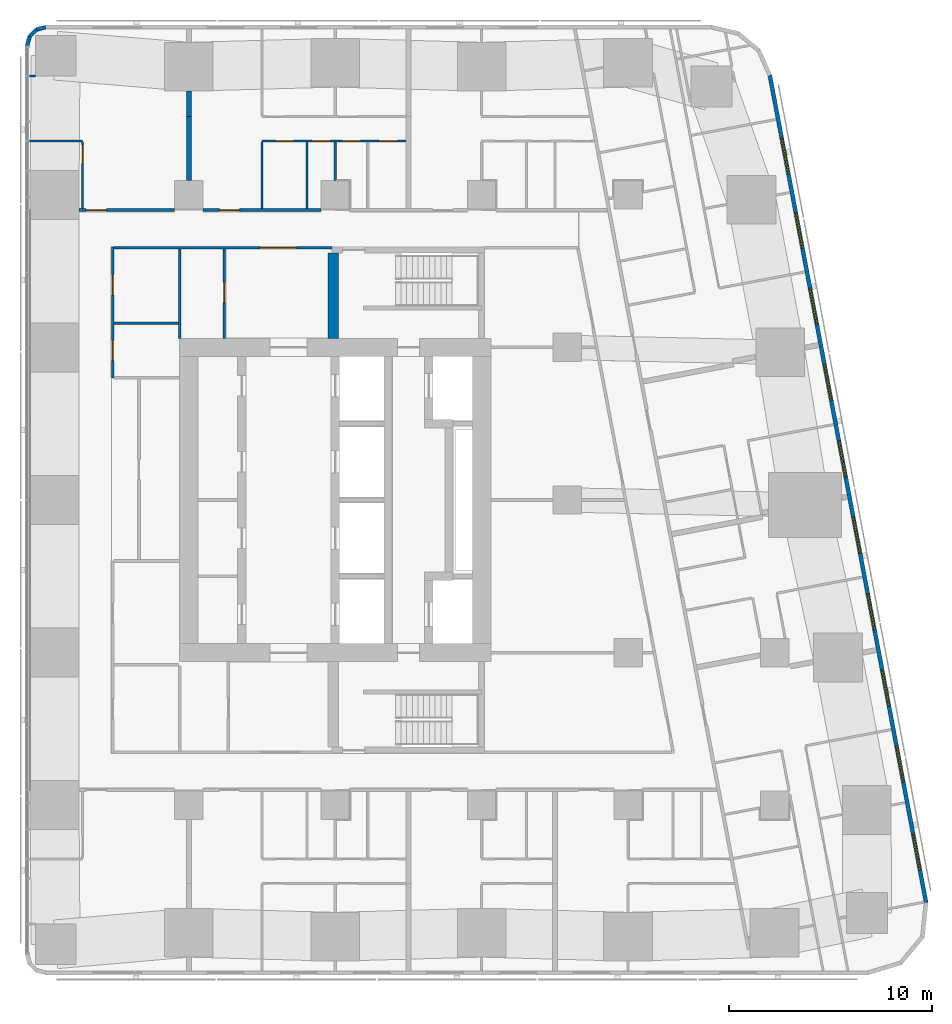
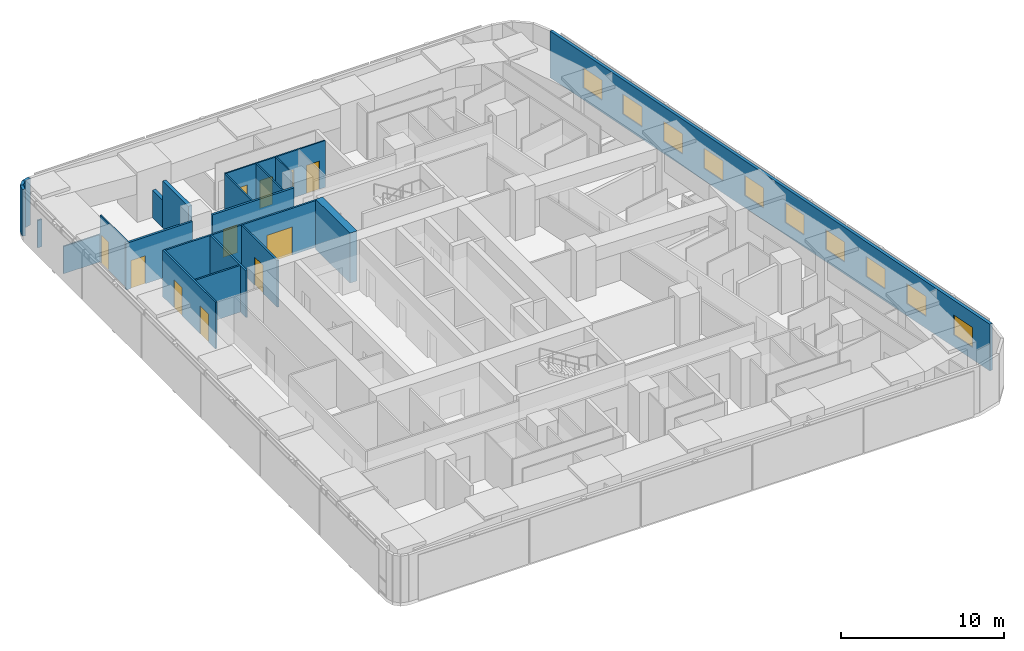
# One storey, part 15 of 19: 21 walls, 11 doors, 10 windows, 21 openings.
"""IFC4 building model written with IfcOpenShell, lengths in metres."""

import ifcopenshell
import ifcopenshell.guid

model = None  # the IFC model being written
_history = None  # IfcOwnerHistory: only IFC2X3 demands one
_inside = {}  # id of a spatial element -> (the spatial element, [elements in it])
_under = {}  # id of a project, library or spatial element -> (it, [spatial elements below it])
_declared = {}  # id of a project -> (the project, [libraries it declares])
_typed = {}  # id of a type object -> (the type object, [elements of that type])
_made_of = {}  # id of a material, layer set ... -> (it, [elements and type objects made of it])


def new_model(schema):
    """Start an empty IFC model of exactly this schema.

    Asked for "IFC4X3", IfcOpenShell would pick the latest addendum, in which some entities
    have other attributes; the version numbers below select the first issue.
    IFC2X3 requires an IfcOwnerHistory on every rooted entity: one is made here for all.
    """
    global model, _history
    if schema == "IFC4X3":
        model = ifcopenshell.file(schema_version=(4, 3, 0, 0))
    else:
        model = ifcopenshell.file(schema=schema)
    _inside.clear()
    _under.clear()
    _declared.clear()
    _typed.clear()
    _made_of.clear()
    _history = None
    if model.schema == "IFC2X3":
        org = make("IfcOrganization", Name="unknown")
        user = make(
            "IfcPersonAndOrganization",
            ThePerson=make("IfcPerson", FamilyName="unknown"),
            TheOrganization=org,
        )
        app = make(
            "IfcApplication",
            ApplicationDeveloper=org,
            Version="unknown",
            ApplicationFullName="unknown",
            ApplicationIdentifier="unknown",
        )
        _history = make(
            "IfcOwnerHistory",
            OwningUser=user,
            OwningApplication=app,
            ChangeAction="ADDED",
            CreationDate=0,
        )
    return model


def make(cls, **values):
    """One entity of the class cls with the attributes given. An attribute that is None is left unset."""
    return model.create_entity(
        cls, **{name: value for name, value in values.items() if value is not None}
    )


def rooted(cls, **values):
    """An entity with a GlobalId (a new one), such as an element, a storey or a relation."""
    return make(cls, GlobalId=ifcopenshell.guid.new(), OwnerHistory=_history, **values)


def si_unit(unit_type, name, prefix=None):
    """IfcSIUnit, for example si_unit("LENGTHUNIT", "METRE", prefix="MILLI")."""
    return make("IfcSIUnit", UnitType=unit_type, Prefix=prefix, Name=name)


def assignment(units):
    """IfcUnitAssignment: the units of a project."""
    return None if units is None else make("IfcUnitAssignment", Units=units)


def point(xyz):
    """IfcCartesianPoint."""
    return None if xyz is None else make("IfcCartesianPoint", Coordinates=xyz)


def direction(xyz):
    """IfcDirection."""
    return None if xyz is None else make("IfcDirection", DirectionRatios=xyz)


def frame(location, z_axis=None, x_axis=None):
    """IfcAxis2Placement3D, a coordinate frame: its origin and axes. An axis left out is left unset."""
    return make(
        "IfcAxis2Placement3D",
        Location=point(location),
        Axis=direction(z_axis),
        RefDirection=direction(x_axis),
    )


def frame_2d(location, x_axis=None):
    """IfcAxis2Placement2D, a coordinate frame in the plane: its origin and x axis."""
    return make(
        "IfcAxis2Placement2D", Location=point(location), RefDirection=direction(x_axis)
    )


def origin():
    """The frame at (0, 0, 0) with its axes left unset."""
    return frame((0.0, 0.0, 0.0))


def place(relative_to, where):
    """IfcLocalPlacement: puts the frame where relative to a parent placement (None: the world)."""
    return make(
        "IfcLocalPlacement", PlacementRelTo=relative_to, RelativePlacement=where
    )


def context(
    kind, dimensions, precision=None, world=None, true_north=None, identifier=None
):
    """IfcGeometricRepresentationContext, for example the 3D "Model" context."""
    return make(
        "IfcGeometricRepresentationContext",
        ContextIdentifier=identifier,
        ContextType=kind,
        CoordinateSpaceDimension=dimensions,
        Precision=precision,
        WorldCoordinateSystem=world,
        TrueNorth=true_north,
    )


def subcontext(parent, identifier, kind, view, scale=None):
    """IfcGeometricRepresentationSubContext, for example "Body" below "Model"."""
    return make(
        "IfcGeometricRepresentationSubContext",
        ContextIdentifier=identifier,
        ContextType=kind,
        ParentContext=parent,
        TargetScale=scale,
        TargetView=view,
    )


def project(units=None, contexts=None):
    """IfcProject with its units and contexts."""
    return rooted(
        "IfcProject",
        Name="project",
        RepresentationContexts=contexts,
        UnitsInContext=assignment(units),
    )


def spatial(cls, under=None, at=None, **own):
    """A site, building, storey or space (cls), placed at a placement, below another one or the project."""
    s = rooted(cls, ObjectPlacement=at, **own)
    if under is not None:
        _under.setdefault(under.id(), (under, []))[1].append(s)
    return s


def profile(cls, at=None, kind="AREA", **sizes):
    """A parametric profile (cls). Its sizes go by their IFC names, for example OverallWidth=200.0."""
    return make(cls, ProfileType=kind, Position=at, **sizes)


def rectangle(**sizes):
    """IfcRectangleProfileDef."""
    return profile("IfcRectangleProfileDef", **sizes)


def extrude(swept, where, along, depth):
    """IfcExtrudedAreaSolid: the profile swept, set in the frame where, extruded along a direction by depth."""
    return make(
        "IfcExtrudedAreaSolid",
        SweptArea=swept,
        Position=where,
        ExtrudedDirection=direction(along),
        Depth=depth,
    )


def shape(context_of_items, identifier, shape_type, items):
    """IfcShapeRepresentation: the items that make up one representation, for example the "Body"."""
    return make(
        "IfcShapeRepresentation",
        ContextOfItems=context_of_items,
        RepresentationIdentifier=identifier,
        RepresentationType=shape_type,
        Items=items,
    )


def material(Name=None, Category=None):
    """IfcMaterial."""
    return make("IfcMaterial", Name=Name, Category=Category)


def layer(
    of_material, thickness, ventilated=None, Name=None, Category=None, Priority=None
):
    """IfcMaterialLayer: one layer of a wall or slab, of a material (None: an air gap)."""
    return make(
        "IfcMaterialLayer",
        Material=of_material,
        LayerThickness=thickness,
        IsVentilated=ventilated,
        Name=Name,
        Category=Category,
        Priority=Priority,
    )


def layer_set(layers, Name=None):
    """IfcMaterialLayerSet."""
    return make("IfcMaterialLayerSet", MaterialLayers=layers, LayerSetName=Name)


def made_of(thing, what):
    """Note that an element or type object is made of a material, layer set ...; save() writes the relation."""
    if what is not None:
        _made_of.setdefault(what.id(), (what, []))[1].append(thing)
    return thing


def type_object(cls, material=None, **own):
    """A type object (cls), such as IfcWallType, which elements share."""
    return made_of(rooted(cls, **own), material)


def element(
    cls,
    number,
    at=None,
    inside=None,
    cuts=None,
    type_object=None,
    material=None,
    context=None,
    identifier="Body",
    shape_type=None,
    held_by="IfcProductDefinitionShape",
    body=None,
    shapes=None,
    **own,
):
    """One element of the class cls, such as IfcWall. Its Tag is "e" and its number.

    at: its placement. inside: the storey or other place that contains it. cuts: it is an
    opening in that element (IfcRelVoidsElement). A single representation is given by context,
    identifier, shape_type and body (its items); several are given by shapes. held_by: the class
    of the entity that holds the representations. save() writes the other relations.
    """
    e = rooted(cls, Tag="e%d" % number, ObjectPlacement=at, **own)
    if body is not None:
        shapes = [shape(context, identifier, shape_type, body)]
    if shapes is not None:
        e.Representation = make(held_by, Representations=shapes)
    if inside is not None:
        _inside.setdefault(inside.id(), (inside, []))[1].append(e)
    if cuts is not None:
        rooted(
            "IfcRelVoidsElement", RelatingBuildingElement=cuts, RelatedOpeningElement=e
        )
    if type_object is not None:
        _typed.setdefault(type_object.id(), (type_object, []))[1].append(e)
    return made_of(e, material)


def fill(opening, filler):
    """IfcRelFillsElement: the door or window that sits in an opening."""
    return rooted(
        "IfcRelFillsElement",
        RelatingOpeningElement=opening,
        RelatedBuildingElement=filler,
    )


def aggregate(whole, parts):
    """IfcRelAggregates: a whole, such as a stair, and the parts it consists of."""
    return rooted("IfcRelAggregates", RelatingObject=whole, RelatedObjects=parts)


def save(model, path):
    """Write the relations noted so far, then the file.

    IfcRelAggregates (storeys below a building ...), IfcRelContainedInSpatialStructure (elements
    in a storey), IfcRelDefinesByType, IfcRelAssociatesMaterial and IfcRelDeclares: one each for
    every whole, place, type object, material and project.
    """
    for whole, parts in _under.values():
        aggregate(whole, parts)
    for where, things in _inside.values():
        rooted(
            "IfcRelContainedInSpatialStructure",
            RelatedElements=things,
            RelatingStructure=where,
        )
    for kind, things in _typed.values():
        rooted("IfcRelDefinesByType", RelatedObjects=things, RelatingType=kind)
    for what, things in _made_of.values():
        rooted("IfcRelAssociatesMaterial", RelatedObjects=things, RelatingMaterial=what)
    for by, libraries in _declared.values():
        rooted("IfcRelDeclares", RelatingContext=by, RelatedDefinitions=libraries)
    model.write(path)


model = new_model("IFC4")

# Units and contexts
model_context = context("Model", 3, precision=1e-05, world=origin(), true_north=direction((0.0, 1.0)))
body_context = subcontext(model_context, "Body", "Model", "MODEL_VIEW")
ifc_project = project(units=[si_unit("LENGTHUNIT", "METRE"), si_unit("AREAUNIT", "SQUARE_METRE"), si_unit("VOLUMEUNIT", "CUBIC_METRE"), si_unit("PLANEANGLEUNIT", "RADIAN"), si_unit("MASSUNIT", "GRAM", prefix="KILO")], contexts=[model_context])

# Site, building, storey
site_placement = place(None, origin())
site = spatial("IfcSite", under=ifc_project, at=site_placement, CompositionType="ELEMENT")
building_placement = place(site_placement, origin())
building = spatial("IfcBuilding", under=site, at=building_placement, Name="Sheger Commons Tower", CompositionType="ELEMENT")
storey_placement = place(building_placement, frame((0.0, 0.0, 216.199951171875)))
storey = spatial("IfcBuildingStorey", under=building, at=storey_placement, Name="L55", CompositionType="ELEMENT", Elevation=216.199951171875)

# Wall, opening, door
ifc_material_1 = material(Name="Hollow concrete block masonry, skimmed both sides", Category="masonry")
ifc_layer_1 = layer(ifc_material_1, 0.14990234375)
ifc_layer_set_1 = layer_set([ifc_layer_1], Name="CORRIDOR WALL 150")
wall_type_1 = type_object("IfcWallType", Name="CORRIDOR WALL 150", PredefinedType="SOLIDWALL", material=ifc_layer_set_1)
wall_1_placement = place(storey_placement, frame((9.0009765625, 36.75, 0.0), z_axis=(0.0, 0.0, 1.0), x_axis=(1.0, 0.0, 0.0)))
wall_1 = element("IfcWall", 1, at=wall_1_placement, inside=storey, type_object=wall_type_1, Name="Corridor wall L55", PredefinedType="SOLIDWALL", context=body_context, shape_type="SweptSolid", body=[
    extrude(rectangle(XDim=4.697998046875, YDim=0.14990234375, at=frame_2d((2.34912109375, 0.0))), origin(), (0.0, 0.0, 1.0), 3.5),
])
opening_1_placement = place(wall_1_placement, frame((0.35302734375, 0.0, 0.0)))
opening_1 = element("IfcOpeningElement", 2, at=opening_1_placement, cuts=wall_1, Name="Opening D1", PredefinedType="OPENING", context=body_context, shape_type="SweptSolid", body=[
    extrude(rectangle(XDim=1.0, YDim=2.10009765625, at=frame_2d((0.5, 1.050048828125))), frame((0.0, 0.0849609375, 0.0), z_axis=(0.0, -1.0, 0.0), x_axis=(1.0, 0.0, 0.0)), (0.0, 0.0, 1.0), 0.169921875),
])
ifc_material_2 = material(Name="Steel door set, fire rated", Category="steel")
door_type_1 = type_object("IfcDoorType", Name="FLAT ENTRANCE DOOR 1000x2100", OperationType="NOTDEFINED", PredefinedType="DOOR", material=ifc_material_2)
door_1_placement = place(opening_1_placement, origin())
door_1 = element("IfcDoor", 3, at=door_1_placement, inside=storey, type_object=door_type_1, Name="Flat entrance door", OperationType="SINGLE_SWING_LEFT", OverallHeight=2.10009765625, OverallWidth=1.0, PredefinedType="DOOR", context=body_context, shape_type="SweptSolid", body=[
    extrude(rectangle(XDim=1.0, YDim=2.10009765625, at=frame_2d((0.5, 1.050048828125))), frame((0.0, 0.02490234375, 0.0), z_axis=(0.0, -1.0, 0.0), x_axis=(1.0, 0.0, 0.0)), (0.0, 0.0, 1.0), 0.050048828125),
])
fill(opening_1, door_1)

wall_2_placement = place(storey_placement, frame((15.10107421875, 36.75, 0.0), z_axis=(0.0, 0.0, 1.0), x_axis=(1.0, 0.0, 0.0)))
wall_2 = element("IfcWall", 4, at=wall_2_placement, inside=storey, type_object=wall_type_1, Name="Corridor wall L55", PredefinedType="SOLIDWALL", context=body_context, shape_type="SweptSolid", body=[
    extrude(rectangle(XDim=5.7978515625, YDim=0.14990234375, at=frame_2d((2.89892578125, 0.0))), origin(), (0.0, 0.0, 1.0), 3.5),
])
opening_2_placement = place(wall_2_placement, frame((0.799072265625, 0.0, 0.0)))
opening_2 = element("IfcOpeningElement", 5, at=opening_2_placement, cuts=wall_2, Name="Opening D1", PredefinedType="OPENING", context=body_context, shape_type="SweptSolid", body=[
    extrude(rectangle(XDim=1.0, YDim=2.10009765625, at=frame_2d((0.5, 1.050048828125))), frame((0.0, 0.0849609375, 0.0), z_axis=(0.0, -1.0, 0.0), x_axis=(1.0, 0.0, 0.0)), (0.0, 0.0, 1.0), 0.169921875),
])
door_2_placement = place(opening_2_placement, origin())
door_2 = element("IfcDoor", 6, at=door_2_placement, inside=storey, type_object=door_type_1, Name="Flat entrance door", OperationType="SINGLE_SWING_LEFT", OverallHeight=2.10009765625, OverallWidth=1.0, PredefinedType="DOOR", context=body_context, shape_type="SweptSolid", body=[
    extrude(rectangle(XDim=1.0, YDim=2.10009765625, at=frame_2d((0.5, 1.050048828125))), frame((0.0, 0.02490234375, 0.0), z_axis=(0.0, -1.0, 0.0), x_axis=(1.0, 0.0, 0.0)), (0.0, 0.0, 1.0), 0.050048828125),
])
fill(opening_2, door_2)

# Walls
ifc_material_3 = material(Name="Dense concrete block masonry, plastered both sides (separating wall between flats)", Category="masonry")
ifc_layer_2 = layer(ifc_material_3, 0.25)
ifc_layer_set_2 = layer_set([ifc_layer_2], Name="DEMISING WALL 250")
wall_type_2 = type_object("IfcWallType", Name="DEMISING WALL 250", PredefinedType="SOLIDWALL", material=ifc_layer_set_2)
wall_3_placement = place(storey_placement, frame((14.39990234375, 41.35009765625, 0.0), z_axis=(0.0, 0.0, 1.0), x_axis=(0.0, 1.0, 0.0)))
element("IfcWall", 7, at=wall_3_placement, inside=storey, type_object=wall_type_2, Name="Demising wall L55", PredefinedType="SOLIDWALL", context=body_context, shape_type="SweptSolid", body=[
    extrude(rectangle(XDim=1.2490234375, YDim=0.25, at=frame_2d((0.62451171875, 0.0))), origin(), (0.0, 0.0, 1.0), 2.050048828125),
])
wall_4_placement = place(storey_placement, frame((14.39990234375, 38.200927734375, 0.0), z_axis=(0.0, 0.0, 1.0), x_axis=(0.0, 1.0, 0.0)))
element("IfcWall", 8, at=wall_4_placement, inside=storey, type_object=wall_type_2, Name="Demising wall L55", PredefinedType="SOLIDWALL", context=body_context, shape_type="SweptSolid", body=[
    extrude(rectangle(XDim=3.149169921875, YDim=0.25, at=frame_2d((1.57470703125, 0.0))), origin(), (0.0, 0.0, 1.0), 3.5),
])

# Wall, openings, windows
ifc_material_4 = material(Name="Rendered concrete block masonry, dark grey", Category="masonry")
ifc_layer_3 = layer(ifc_material_4, 0.199951171875)
ifc_layer_set_3 = layer_set([ifc_layer_3], Name="FACADE WALL 200")
wall_type_3 = type_object("IfcWallType", Name="FACADE WALL 200", PredefinedType="SOLIDWALL", material=ifc_layer_set_3)
wall_5_placement = place(storey_placement, frame((50.653076171875, 2.702880859375, 0.0), z_axis=(0.0, 0.0, 1.0), x_axis=(-0.185612026696, 0.982623109613, 0.0)))
wall_5 = element("IfcWall", 9, at=wall_5_placement, inside=storey, type_object=wall_type_3, Name="Facade wall L55", PredefinedType="SOLIDWALL", context=body_context, shape_type="SweptSolid", body=[
    extrude(rectangle(XDim=41.393310546875, YDim=0.199951171875, at=frame_2d((20.69677734375, 0.0))), origin(), (0.0, 0.0, 1.0), 3.5),
])
opening_3_placement = place(wall_5_placement, frame((1.633056640625, 0.0, 0.89990234375)))
opening_3 = element("IfcOpeningElement", 10, at=opening_3_placement, cuts=wall_5, Name="Opening W2", PredefinedType="OPENING", context=body_context, shape_type="SweptSolid", body=[
    extrude(rectangle(XDim=1.800048828125, YDim=1.5, at=frame_2d((0.89990234375, 0.75))), frame((0.0, 0.10986328125, 0.0), z_axis=(0.0, -1.0, 0.0), x_axis=(1.0, 0.0, 0.0)), (0.0, 0.0, 1.0), 0.219970703125),
])
opening_4_placement = place(wall_5_placement, frame((6.031982421875, 0.0, 0.89990234375)))
opening_4 = element("IfcOpeningElement", 11, at=opening_4_placement, cuts=wall_5, Name="Opening W2", PredefinedType="OPENING", context=body_context, shape_type="SweptSolid", body=[
    extrude(rectangle(XDim=1.800048828125, YDim=1.5, at=frame_2d((0.89990234375, 0.75))), frame((0.0, 0.10986328125, 0.0), z_axis=(0.0, -1.0, 0.0), x_axis=(1.0, 0.0, 0.0)), (0.0, 0.0, 1.0), 0.219970703125),
])
opening_5_placement = place(wall_5_placement, frame((9.847900390625, 0.0, 0.89990234375)))
opening_5 = element("IfcOpeningElement", 12, at=opening_5_placement, cuts=wall_5, Name="Opening W2", PredefinedType="OPENING", context=body_context, shape_type="SweptSolid", body=[
    extrude(rectangle(XDim=1.800048828125, YDim=1.5, at=frame_2d((0.89990234375, 0.75))), frame((0.0, 0.10986328125, 0.0), z_axis=(0.0, -1.0, 0.0), x_axis=(1.0, 0.0, 0.0)), (0.0, 0.0, 1.0), 0.219970703125),
])
opening_6_placement = place(wall_5_placement, frame((13.6640625, 0.0, 0.89990234375)))
opening_6 = element("IfcOpeningElement", 13, at=opening_6_placement, cuts=wall_5, Name="Opening W2", PredefinedType="OPENING", context=body_context, shape_type="SweptSolid", body=[
    extrude(rectangle(XDim=1.800048828125, YDim=1.5, at=frame_2d((0.89990234375, 0.75))), frame((0.0, 0.10986328125, 0.0), z_axis=(0.0, -1.0, 0.0), x_axis=(1.0, 0.0, 0.0)), (0.0, 0.0, 1.0), 0.219970703125),
])
opening_7_placement = place(wall_5_placement, frame((17.48095703125, 0.0, 0.89990234375)))
opening_7 = element("IfcOpeningElement", 14, at=opening_7_placement, cuts=wall_5, Name="Opening W2", PredefinedType="OPENING", context=body_context, shape_type="SweptSolid", body=[
    extrude(rectangle(XDim=1.800048828125, YDim=1.5, at=frame_2d((0.89990234375, 0.75))), frame((0.0, 0.10986328125, 0.0), z_axis=(0.0, -1.0, 0.0), x_axis=(1.0, 0.0, 0.0)), (0.0, 0.0, 1.0), 0.219970703125),
])
opening_8_placement = place(wall_5_placement, frame((21.297119140625, 0.0, 0.89990234375)))
opening_8 = element("IfcOpeningElement", 15, at=opening_8_placement, cuts=wall_5, Name="Opening W2", PredefinedType="OPENING", context=body_context, shape_type="SweptSolid", body=[
    extrude(rectangle(XDim=1.800048828125, YDim=1.5, at=frame_2d((0.89990234375, 0.75))), frame((0.0, 0.10986328125, 0.0), z_axis=(0.0, -1.0, 0.0), x_axis=(1.0, 0.0, 0.0)), (0.0, 0.0, 1.0), 0.219970703125),
])
opening_9_placement = place(wall_5_placement, frame((25.113037109375, 0.0, 0.89990234375)))
opening_9 = element("IfcOpeningElement", 16, at=opening_9_placement, cuts=wall_5, Name="Opening W2", PredefinedType="OPENING", context=body_context, shape_type="SweptSolid", body=[
    extrude(rectangle(XDim=1.800048828125, YDim=1.5, at=frame_2d((0.89990234375, 0.75))), frame((0.0, 0.10986328125, 0.0), z_axis=(0.0, -1.0, 0.0), x_axis=(1.0, 0.0, 0.0)), (0.0, 0.0, 1.0), 0.219970703125),
])
opening_10_placement = place(wall_5_placement, frame((28.929931640625, 0.0, 0.89990234375)))
opening_10 = element("IfcOpeningElement", 17, at=opening_10_placement, cuts=wall_5, Name="Opening W2", PredefinedType="OPENING", context=body_context, shape_type="SweptSolid", body=[
    extrude(rectangle(XDim=1.800048828125, YDim=1.5, at=frame_2d((0.89990234375, 0.75))), frame((0.0, 0.10986328125, 0.0), z_axis=(0.0, -1.0, 0.0), x_axis=(1.0, 0.0, 0.0)), (0.0, 0.0, 1.0), 0.219970703125),
])
opening_11_placement = place(wall_5_placement, frame((32.74609375, 0.0, 0.89990234375)))
opening_11 = element("IfcOpeningElement", 18, at=opening_11_placement, cuts=wall_5, Name="Opening W2", PredefinedType="OPENING", context=body_context, shape_type="SweptSolid", body=[
    extrude(rectangle(XDim=1.800048828125, YDim=1.5, at=frame_2d((0.89990234375, 0.75))), frame((0.0, 0.10986328125, 0.0), z_axis=(0.0, -1.0, 0.0), x_axis=(1.0, 0.0, 0.0)), (0.0, 0.0, 1.0), 0.219970703125),
])
opening_12_placement = place(wall_5_placement, frame((36.48095703125, 0.0, 0.89990234375)))
opening_12 = element("IfcOpeningElement", 19, at=opening_12_placement, cuts=wall_5, Name="Opening W2", PredefinedType="OPENING", context=body_context, shape_type="SweptSolid", body=[
    extrude(rectangle(XDim=1.800048828125, YDim=1.5, at=frame_2d((0.89990234375, 0.75))), frame((0.0, 0.10986328125, 0.0), z_axis=(0.0, -1.0, 0.0), x_axis=(1.0, 0.0, 0.0)), (0.0, 0.0, 1.0), 0.219970703125),
])
ifc_material_5 = material(Name="Black aluminium frame, dark tinted double glazing", Category="aluminium")
window_type = type_object("IfcWindowType", Name="WINDOW W2 1800x1500", PartitioningType="SINGLE_PANEL", PredefinedType="WINDOW", material=ifc_material_5)
window_1_placement = place(opening_3_placement, origin())
window_1 = element("IfcWindow", 20, at=window_1_placement, inside=storey, type_object=window_type, Name="Window W2 1800X1500", OverallHeight=1.5, OverallWidth=1.800048828125, PartitioningType="SINGLE_PANEL", PredefinedType="WINDOW", context=body_context, shape_type="SweptSolid", body=[
    extrude(rectangle(XDim=1.800048828125, YDim=1.5, at=frame_2d((0.89990234375, 0.75))), frame((0.0, 0.030029296875, 0.0), z_axis=(0.0, -1.0, 0.0), x_axis=(1.0, 0.0, 0.0)), (0.0, 0.0, 1.0), 0.06005859375),
])
fill(opening_3, window_1)
window_2_placement = place(opening_4_placement, origin())
window_2 = element("IfcWindow", 21, at=window_2_placement, inside=storey, type_object=window_type, Name="Window W2 1800X1500", OverallHeight=1.5, OverallWidth=1.800048828125, PartitioningType="SINGLE_PANEL", PredefinedType="WINDOW", context=body_context, shape_type="SweptSolid", body=[
    extrude(rectangle(XDim=1.800048828125, YDim=1.5, at=frame_2d((0.89990234375, 0.75))), frame((0.0, 0.030029296875, 0.0), z_axis=(0.0, -1.0, 0.0), x_axis=(1.0, 0.0, 0.0)), (0.0, 0.0, 1.0), 0.06005859375),
])
fill(opening_4, window_2)
window_3_placement = place(opening_5_placement, origin())
window_3 = element("IfcWindow", 22, at=window_3_placement, inside=storey, type_object=window_type, Name="Window W2 1800X1500", OverallHeight=1.5, OverallWidth=1.800048828125, PartitioningType="SINGLE_PANEL", PredefinedType="WINDOW", context=body_context, shape_type="SweptSolid", body=[
    extrude(rectangle(XDim=1.800048828125, YDim=1.5, at=frame_2d((0.89990234375, 0.75))), frame((0.0, 0.030029296875, 0.0), z_axis=(0.0, -1.0, 0.0), x_axis=(1.0, 0.0, 0.0)), (0.0, 0.0, 1.0), 0.06005859375),
])
fill(opening_5, window_3)
window_4_placement = place(opening_6_placement, origin())
window_4 = element("IfcWindow", 23, at=window_4_placement, inside=storey, type_object=window_type, Name="Window W2 1800X1500", OverallHeight=1.5, OverallWidth=1.800048828125, PartitioningType="SINGLE_PANEL", PredefinedType="WINDOW", context=body_context, shape_type="SweptSolid", body=[
    extrude(rectangle(XDim=1.800048828125, YDim=1.5, at=frame_2d((0.89990234375, 0.75))), frame((0.0, 0.030029296875, 0.0), z_axis=(0.0, -1.0, 0.0), x_axis=(1.0, 0.0, 0.0)), (0.0, 0.0, 1.0), 0.06005859375),
])
fill(opening_6, window_4)
window_5_placement = place(opening_7_placement, origin())
window_5 = element("IfcWindow", 24, at=window_5_placement, inside=storey, type_object=window_type, Name="Window W2 1800X1500", OverallHeight=1.5, OverallWidth=1.800048828125, PartitioningType="SINGLE_PANEL", PredefinedType="WINDOW", context=body_context, shape_type="SweptSolid", body=[
    extrude(rectangle(XDim=1.800048828125, YDim=1.5, at=frame_2d((0.89990234375, 0.75))), frame((0.0, 0.030029296875, 0.0), z_axis=(0.0, -1.0, 0.0), x_axis=(1.0, 0.0, 0.0)), (0.0, 0.0, 1.0), 0.06005859375),
])
fill(opening_7, window_5)
window_6_placement = place(opening_8_placement, origin())
window_6 = element("IfcWindow", 25, at=window_6_placement, inside=storey, type_object=window_type, Name="Window W2 1800X1500", OverallHeight=1.5, OverallWidth=1.800048828125, PartitioningType="SINGLE_PANEL", PredefinedType="WINDOW", context=body_context, shape_type="SweptSolid", body=[
    extrude(rectangle(XDim=1.800048828125, YDim=1.5, at=frame_2d((0.89990234375, 0.75))), frame((0.0, 0.030029296875, 0.0), z_axis=(0.0, -1.0, 0.0), x_axis=(1.0, 0.0, 0.0)), (0.0, 0.0, 1.0), 0.06005859375),
])
fill(opening_8, window_6)
window_7_placement = place(opening_9_placement, origin())
window_7 = element("IfcWindow", 26, at=window_7_placement, inside=storey, type_object=window_type, Name="Window W2 1800X1500", OverallHeight=1.5, OverallWidth=1.800048828125, PartitioningType="SINGLE_PANEL", PredefinedType="WINDOW", context=body_context, shape_type="SweptSolid", body=[
    extrude(rectangle(XDim=1.800048828125, YDim=1.5, at=frame_2d((0.89990234375, 0.75))), frame((0.0, 0.030029296875, 0.0), z_axis=(0.0, -1.0, 0.0), x_axis=(1.0, 0.0, 0.0)), (0.0, 0.0, 1.0), 0.06005859375),
])
fill(opening_9, window_7)
window_8_placement = place(opening_10_placement, origin())
window_8 = element("IfcWindow", 27, at=window_8_placement, inside=storey, type_object=window_type, Name="Window W2 1800X1500", OverallHeight=1.5, OverallWidth=1.800048828125, PartitioningType="SINGLE_PANEL", PredefinedType="WINDOW", context=body_context, shape_type="SweptSolid", body=[
    extrude(rectangle(XDim=1.800048828125, YDim=1.5, at=frame_2d((0.89990234375, 0.75))), frame((0.0, 0.030029296875, 0.0), z_axis=(0.0, -1.0, 0.0), x_axis=(1.0, 0.0, 0.0)), (0.0, 0.0, 1.0), 0.06005859375),
])
fill(opening_10, window_8)
window_9_placement = place(opening_11_placement, origin())
window_9 = element("IfcWindow", 28, at=window_9_placement, inside=storey, type_object=window_type, Name="Window W2 1800X1500", OverallHeight=1.5, OverallWidth=1.800048828125, PartitioningType="SINGLE_PANEL", PredefinedType="WINDOW", context=body_context, shape_type="SweptSolid", body=[
    extrude(rectangle(XDim=1.800048828125, YDim=1.5, at=frame_2d((0.89990234375, 0.75))), frame((0.0, 0.030029296875, 0.0), z_axis=(0.0, -1.0, 0.0), x_axis=(1.0, 0.0, 0.0)), (0.0, 0.0, 1.0), 0.06005859375),
])
fill(opening_11, window_9)
window_10_placement = place(opening_12_placement, origin())
window_10 = element("IfcWindow", 29, at=window_10_placement, inside=storey, type_object=window_type, Name="Window W2 1800X1500", OverallHeight=1.5, OverallWidth=1.800048828125, PartitioningType="SINGLE_PANEL", PredefinedType="WINDOW", context=body_context, shape_type="SweptSolid", body=[
    extrude(rectangle(XDim=1.800048828125, YDim=1.5, at=frame_2d((0.89990234375, 0.75))), frame((0.0, 0.030029296875, 0.0), z_axis=(0.0, -1.0, 0.0), x_axis=(1.0, 0.0, 0.0)), (0.0, 0.0, 1.0), 0.06005859375),
])
fill(opening_12, window_10)

# Walls
wall_6_placement = place(storey_placement, frame((7.363037109375, 45.75, 0.0), z_axis=(0.0, 0.0, 1.0), x_axis=(-0.965655254015, -0.259826731483, 0.0)))
element("IfcWall", 30, at=wall_6_placement, inside=storey, type_object=wall_type_3, Name="Facade wall L55", PredefinedType="SOLIDWALL", context=body_context, shape_type="SweptSolid", body=[
    extrude(rectangle(XDim=0.477294921875, YDim=0.199951171875, at=frame_2d((0.23876953125, 0.0))), origin(), (0.0, 0.0, 1.0), 3.5),
])
wall_7_placement = place(storey_placement, frame((6.902099609375, 45.6259765625, 0.0), z_axis=(0.0, 0.0, 1.0), x_axis=(-0.707369890659, -0.706843573776, 0.0)))
element("IfcWall", 31, at=wall_7_placement, inside=storey, type_object=wall_type_3, Name="Facade wall L55", PredefinedType="SOLIDWALL", context=body_context, shape_type="SweptSolid", body=[
    extrude(rectangle(XDim=0.4638671875, YDim=0.199951171875, at=frame_2d((0.23193359375, 0.0))), origin(), (0.0, 0.0, 1.0), 3.5),
])
wall_8_placement = place(storey_placement, frame((6.573974609375, 45.298095703125, 0.0), z_axis=(0.0, 0.0, 1.0), x_axis=(-0.259698463175, -0.965689757751, 0.0)))
element("IfcWall", 32, at=wall_8_placement, inside=storey, type_object=wall_type_3, Name="Facade wall L55", PredefinedType="SOLIDWALL", context=body_context, shape_type="SweptSolid", body=[
    extrude(rectangle(XDim=0.4775390625, YDim=0.199951171875, at=frame_2d((0.23876953125, 0.0))), origin(), (0.0, 0.0, 1.0), 3.5),
])
ifc_material_6 = material(Name="Gypsum board on steel studs", Category="steel")
ifc_layer_4 = layer(ifc_material_6, 0.10009765625)
ifc_layer_set_4 = layer_set([ifc_layer_4], Name="PARTITION 100")
wall_type_4 = type_object("IfcWallType", Name="PARTITION 100", PredefinedType="PARTITIONING", material=ifc_layer_set_4)
wall_9_placement = place(storey_placement, frame((6.85400390625, 43.345947265625, 0.0), z_axis=(0.0, 0.0, 1.0), x_axis=(-1.0, 0.0, 0.0)))
element("IfcWall", 33, at=wall_9_placement, inside=storey, type_object=wall_type_4, Name="Partition L55", PredefinedType="PARTITIONING", context=body_context, shape_type="SweptSolid", body=[
    extrude(rectangle(XDim=0.303955078125, YDim=0.10009765625, at=frame_2d((0.15185546875, 0.0))), origin(), (0.0, 0.0, 1.0), 2.050048828125),
])
wall_10_placement = place(storey_placement, frame((6.550048828125, 40.14990234375, 0.0), z_axis=(0.0, 0.0, 1.0), x_axis=(1.0, 0.0, 0.0)))
element("IfcWall", 34, at=wall_10_placement, inside=storey, type_object=wall_type_4, Name="Partition L55", PredefinedType="PARTITIONING", context=body_context, shape_type="SweptSolid", body=[
    extrude(rectangle(XDim=2.62890625, YDim=0.10009765625, at=frame_2d((1.314453125, 0.0))), origin(), (0.0, 0.0, 1.0), 2.050048828125),
])

# Wall, opening, door
wall_11_placement = place(storey_placement, frame((9.178955078125, 36.824951171875, 0.0), z_axis=(0.0, 0.0, 1.0), x_axis=(0.0, 1.0, 0.0)))
wall_11 = element("IfcWall", 35, at=wall_11_placement, inside=storey, type_object=wall_type_4, Name="Partition L55", PredefinedType="PARTITIONING", context=body_context, shape_type="SweptSolid", body=[
    extrude(rectangle(XDim=3.275146484375, YDim=0.10009765625, at=frame_2d((1.6376953125, 0.0))), origin(), (0.0, 0.0, 1.0), 3.5),
])
opening_13_placement = place(wall_11_placement, frame((2.22509765625, 0.0, 0.0)))
opening_13 = element("IfcOpeningElement", 36, at=opening_13_placement, cuts=wall_11, Name="Opening D2", PredefinedType="OPENING", context=body_context, shape_type="SweptSolid", body=[
    extrude(rectangle(XDim=0.89990234375, YDim=2.10009765625, at=frame_2d((0.449951171875, 1.050048828125))), frame((0.0, 0.06005859375, 0.0), z_axis=(0.0, -1.0, 0.0), x_axis=(1.0, 0.0, 0.0)), (0.0, 0.0, 1.0), 0.1201171875),
])
ifc_material_7 = material(Name="Timber door set", Category="wood")
door_type_2 = type_object("IfcDoorType", Name="INTERNAL DOOR 900x2100", OperationType="NOTDEFINED", PredefinedType="DOOR", material=ifc_material_7)
door_3_placement = place(opening_13_placement, origin())
door_3 = element("IfcDoor", 37, at=door_3_placement, inside=storey, type_object=door_type_2, Name="Shower room door", OperationType="SINGLE_SWING_RIGHT", OverallHeight=2.10009765625, OverallWidth=0.89990234375, PredefinedType="DOOR", context=body_context, shape_type="SweptSolid", body=[
    extrude(rectangle(XDim=0.89990234375, YDim=2.10009765625, at=frame_2d((0.449951171875, 1.050048828125))), frame((0.0, 0.02490234375, 0.0), z_axis=(0.0, -1.0, 0.0), x_axis=(1.0, 0.0, 0.0)), (0.0, 0.0, 1.0), 0.050048828125),
])
fill(opening_13, door_3)

# Wall, openings, doors
wall_12_placement = place(storey_placement, frame((18.0, 40.14990234375, 0.0), z_axis=(0.0, 0.0, 1.0), x_axis=(1.0, 0.0, 0.0)))
wall_12 = element("IfcWall", 38, at=wall_12_placement, inside=storey, type_object=wall_type_4, Name="Partition L55", PredefinedType="PARTITIONING", context=body_context, shape_type="SweptSolid", body=[
    extrude(rectangle(XDim=7.074951171875, YDim=0.10009765625, at=frame_2d((3.53759765625, 0.0))), origin(), (0.0, 0.0, 1.0), 3.5),
])
opening_14_placement = place(wall_12_placement, frame((0.655029296875, 0.0, 0.0)))
opening_14 = element("IfcOpeningElement", 39, at=opening_14_placement, cuts=wall_12, Name="Opening D2", PredefinedType="OPENING", context=body_context, shape_type="SweptSolid", body=[
    extrude(rectangle(XDim=0.89990234375, YDim=2.10009765625, at=frame_2d((0.449951171875, 1.050048828125))), frame((0.0, 0.06005859375, 0.0), z_axis=(0.0, -1.0, 0.0), x_axis=(1.0, 0.0, 0.0)), (0.0, 0.0, 1.0), 0.1201171875),
])
opening_15_placement = place(wall_12_placement, frame((3.949951171875, 0.0, 0.0)))
opening_15 = element("IfcOpeningElement", 40, at=opening_15_placement, cuts=wall_12, Name="Opening D2", PredefinedType="OPENING", context=body_context, shape_type="SweptSolid", body=[
    extrude(rectangle(XDim=0.89990234375, YDim=2.10009765625, at=frame_2d((0.449951171875, 1.050048828125))), frame((0.0, 0.06005859375, 0.0), z_axis=(0.0, -1.0, 0.0), x_axis=(1.0, 0.0, 0.0)), (0.0, 0.0, 1.0), 0.1201171875),
])
opening_16_placement = place(wall_12_placement, frame((2.455078125, 0.0, 0.0)))
opening_16 = element("IfcOpeningElement", 41, at=opening_16_placement, cuts=wall_12, Name="Opening D2", PredefinedType="OPENING", context=body_context, shape_type="SweptSolid", body=[
    extrude(rectangle(XDim=0.89990234375, YDim=2.10009765625, at=frame_2d((0.449951171875, 1.050048828125))), frame((0.0, 0.06005859375, 0.0), z_axis=(0.0, -1.0, 0.0), x_axis=(1.0, 0.0, 0.0)), (0.0, 0.0, 1.0), 0.1201171875),
])
opening_17_placement = place(wall_12_placement, frame((5.75, 0.0, 0.0)))
opening_17 = element("IfcOpeningElement", 42, at=opening_17_placement, cuts=wall_12, Name="Opening D2", PredefinedType="OPENING", context=body_context, shape_type="SweptSolid", body=[
    extrude(rectangle(XDim=0.89990234375, YDim=2.10009765625, at=frame_2d((0.449951171875, 1.050048828125))), frame((0.0, 0.06005859375, 0.0), z_axis=(0.0, -1.0, 0.0), x_axis=(1.0, 0.0, 0.0)), (0.0, 0.0, 1.0), 0.1201171875),
])
door_4_placement = place(opening_14_placement, origin())
door_4 = element("IfcDoor", 43, at=door_4_placement, inside=storey, type_object=door_type_2, Name="Bathroom door", OperationType="SINGLE_SWING_RIGHT", OverallHeight=2.10009765625, OverallWidth=0.89990234375, PredefinedType="DOOR", context=body_context, shape_type="SweptSolid", body=[
    extrude(rectangle(XDim=0.89990234375, YDim=2.10009765625, at=frame_2d((0.449951171875, 1.050048828125))), frame((0.0, 0.02490234375, 0.0), z_axis=(0.0, -1.0, 0.0), x_axis=(1.0, 0.0, 0.0)), (0.0, 0.0, 1.0), 0.050048828125),
])
fill(opening_14, door_4)
door_5_placement = place(opening_15_placement, origin())
door_5 = element("IfcDoor", 44, at=door_5_placement, inside=storey, type_object=door_type_2, Name="Shower room door", OperationType="SINGLE_SWING_LEFT", OverallHeight=2.10009765625, OverallWidth=0.89990234375, PredefinedType="DOOR", context=body_context, shape_type="SweptSolid", body=[
    extrude(rectangle(XDim=0.89990234375, YDim=2.10009765625, at=frame_2d((0.449951171875, 1.050048828125))), frame((0.0, 0.02490234375, 0.0), z_axis=(0.0, -1.0, 0.0), x_axis=(1.0, 0.0, 0.0)), (0.0, 0.0, 1.0), 0.050048828125),
])
fill(opening_15, door_5)
door_6_placement = place(opening_16_placement, origin())
door_6 = element("IfcDoor", 45, at=door_6_placement, inside=storey, type_object=door_type_2, Name="Store door", OperationType="SINGLE_SWING_LEFT", OverallHeight=2.10009765625, OverallWidth=0.89990234375, PredefinedType="DOOR", context=body_context, shape_type="SweptSolid", body=[
    extrude(rectangle(XDim=0.89990234375, YDim=2.10009765625, at=frame_2d((0.449951171875, 1.050048828125))), frame((0.0, 0.02490234375, 0.0), z_axis=(0.0, -1.0, 0.0), x_axis=(1.0, 0.0, 0.0)), (0.0, 0.0, 1.0), 0.050048828125),
])
fill(opening_16, door_6)
door_7_placement = place(opening_17_placement, origin())
door_7 = element("IfcDoor", 46, at=door_7_placement, inside=storey, type_object=door_type_2, Name="Store door", OperationType="SINGLE_SWING_LEFT", OverallHeight=2.10009765625, OverallWidth=0.89990234375, PredefinedType="DOOR", context=body_context, shape_type="SweptSolid", body=[
    extrude(rectangle(XDim=0.89990234375, YDim=2.10009765625, at=frame_2d((0.449951171875, 1.050048828125))), frame((0.0, 0.02490234375, 0.0), z_axis=(0.0, -1.0, 0.0), x_axis=(1.0, 0.0, 0.0)), (0.0, 0.0, 1.0), 0.050048828125),
])
fill(opening_17, door_7)

# Walls
wall_13_placement = place(storey_placement, frame((18.0, 36.824951171875, 0.0), z_axis=(0.0, 0.0, 1.0), x_axis=(0.0, 1.0, 0.0)))
element("IfcWall", 47, at=wall_13_placement, inside=storey, type_object=wall_type_4, Name="Partition L55", PredefinedType="PARTITIONING", context=body_context, shape_type="SweptSolid", body=[
    extrude(rectangle(XDim=3.275146484375, YDim=0.10009765625, at=frame_2d((1.6376953125, 0.0))), origin(), (0.0, 0.0, 1.0), 3.5),
])
wall_14_placement = place(storey_placement, frame((21.60009765625, 38.200927734375, 0.0), z_axis=(0.0, 0.0, 1.0), x_axis=(0.0, 1.0, 0.0)))
element("IfcWall", 48, at=wall_14_placement, inside=storey, type_object=wall_type_4, Name="Partition L55", PredefinedType="PARTITIONING", context=body_context, shape_type="SweptSolid", body=[
    extrude(rectangle(XDim=1.899169921875, YDim=0.10009765625, at=frame_2d((0.94970703125, 0.0))), origin(), (0.0, 0.0, 1.0), 3.5),
])
wall_15_placement = place(storey_placement, frame((20.2099609375, 36.824951171875, 0.0), z_axis=(0.0, 0.0, 1.0), x_axis=(0.0, 1.0, 0.0)))
element("IfcWall", 49, at=wall_15_placement, inside=storey, type_object=wall_type_4, Name="Partition L55", PredefinedType="PARTITIONING", context=body_context, shape_type="SweptSolid", body=[
    extrude(rectangle(XDim=3.275146484375, YDim=0.10009765625, at=frame_2d((1.6376953125, 0.0))), origin(), (0.0, 0.0, 1.0), 3.5),
])

# Wall, openings, doors
ifc_material_8 = material(Name="Gypsum board on steel studs, two layers each side, fire rated", Category="steel")
ifc_layer_5 = layer(ifc_material_8, 0.125)
ifc_layer_set_5 = layer_set([ifc_layer_5], Name="SERVICE WALL 125")
wall_type_5 = type_object("IfcWallType", Name="SERVICE WALL 125", PredefinedType="PARTITIONING", material=ifc_layer_set_5)
wall_16_placement = place(storey_placement, frame((10.64990234375, 28.5, 0.0), z_axis=(0.0, 0.0, 1.0), x_axis=(0.0, 1.0, 0.0)))
wall_16 = element("IfcWall", 50, at=wall_16_placement, inside=storey, type_object=wall_type_5, Name="Service room wall L55", PredefinedType="PARTITIONING", context=body_context, shape_type="SweptSolid", body=[
    extrude(rectangle(XDim=6.449951171875, YDim=0.125, at=frame_2d((3.22509765625, 0.0))), origin(), (0.0, 0.0, 1.0), 3.5),
])
opening_18_placement = place(wall_16_placement, frame((0.85009765625, 0.0, 0.0)))
opening_18 = element("IfcOpeningElement", 51, at=opening_18_placement, cuts=wall_16, Name="Opening D4", PredefinedType="OPENING", context=body_context, shape_type="SweptSolid", body=[
    extrude(rectangle(XDim=1.0, YDim=2.10009765625, at=frame_2d((0.5, 1.050048828125))), frame((0.0, 0.072509765625, 0.0), z_axis=(0.0, -1.0, 0.0), x_axis=(1.0, 0.0, 0.0)), (0.0, 0.0, 1.0), 0.14501953125),
])
opening_19_placement = place(wall_16_placement, frame((4.074951171875, 0.0, 0.0)))
opening_19 = element("IfcOpeningElement", 52, at=opening_19_placement, cuts=wall_16, Name="Opening D4", PredefinedType="OPENING", context=body_context, shape_type="SweptSolid", body=[
    extrude(rectangle(XDim=1.0, YDim=2.10009765625, at=frame_2d((0.5, 1.050048828125))), frame((0.0, 0.072509765625, 0.0), z_axis=(0.0, -1.0, 0.0), x_axis=(1.0, 0.0, 0.0)), (0.0, 0.0, 1.0), 0.14501953125),
])
ifc_material_9 = material(Name="Steel door set, fire rated", Category="steel")
door_type_3 = type_object("IfcDoorType", Name="SERVICE DOOR 1000x2100", OperationType="NOTDEFINED", PredefinedType="DOOR", material=ifc_material_9)
door_8_placement = place(opening_18_placement, origin())
door_8 = element("IfcDoor", 53, at=door_8_placement, inside=storey, type_object=door_type_3, Name="Cleaner's store door", OperationType="SINGLE_SWING_RIGHT", OverallHeight=2.10009765625, OverallWidth=1.0, PredefinedType="DOOR", context=body_context, shape_type="SweptSolid", body=[
    extrude(rectangle(XDim=1.0, YDim=2.10009765625, at=frame_2d((0.5, 1.050048828125))), frame((0.0, 0.02490234375, 0.0), z_axis=(0.0, -1.0, 0.0), x_axis=(1.0, 0.0, 0.0)), (0.0, 0.0, 1.0), 0.050048828125),
])
fill(opening_18, door_8)
door_9_placement = place(opening_19_placement, origin())
door_9 = element("IfcDoor", 54, at=door_9_placement, inside=storey, type_object=door_type_3, Name="Linen store door", OperationType="SINGLE_SWING_LEFT", OverallHeight=2.10009765625, OverallWidth=1.0, PredefinedType="DOOR", context=body_context, shape_type="SweptSolid", body=[
    extrude(rectangle(XDim=1.0, YDim=2.10009765625, at=frame_2d((0.5, 1.050048828125))), frame((0.0, 0.02490234375, 0.0), z_axis=(0.0, -1.0, 0.0), x_axis=(1.0, 0.0, 0.0)), (0.0, 0.0, 1.0), 0.050048828125),
])
fill(opening_19, door_9)

# Walls
wall_17_placement = place(storey_placement, frame((10.712890625, 31.199951171875, 0.0), z_axis=(0.0, 0.0, 1.0), x_axis=(1.0, 0.0, 0.0)))
element("IfcWall", 55, at=wall_17_placement, inside=storey, type_object=wall_type_5, Name="Service room wall L55", PredefinedType="PARTITIONING", context=body_context, shape_type="SweptSolid", body=[
    extrude(rectangle(XDim=3.175048828125, YDim=0.125, at=frame_2d((1.58740234375, 0.0))), origin(), (0.0, 0.0, 1.0), 3.5),
])
wall_18_placement = place(storey_placement, frame((13.949951171875, 30.449951171875, 0.0), z_axis=(0.0, 0.0, 1.0), x_axis=(0.0, 1.0, 0.0)))
element("IfcWall", 56, at=wall_18_placement, inside=storey, type_object=wall_type_5, Name="Service room wall L55", PredefinedType="PARTITIONING", context=body_context, shape_type="SweptSolid", body=[
    extrude(rectangle(XDim=4.386962890625, YDim=0.125, at=frame_2d((2.193359375, 0.0))), origin(), (0.0, 0.0, 1.0), 3.5),
])

# Wall, opening, door
wall_19_placement = place(storey_placement, frame((10.712890625, 34.89990234375, 0.0), z_axis=(0.0, 0.0, 1.0), x_axis=(1.0, 0.0, 0.0)))
wall_19 = element("IfcWall", 57, at=wall_19_placement, inside=storey, type_object=wall_type_5, Name="Service room wall L55", PredefinedType="PARTITIONING", context=body_context, shape_type="SweptSolid", body=[
    extrude(rectangle(XDim=10.737060546875, YDim=0.125, at=frame_2d((5.36865234375, 0.0))), origin(), (0.0, 0.0, 1.0), 3.5),
])
opening_20_placement = place(wall_19_placement, frame((7.18701171875, 0.0, 0.0)))
opening_20 = element("IfcOpeningElement", 58, at=opening_20_placement, cuts=wall_19, Name="Opening D6", PredefinedType="OPENING", context=body_context, shape_type="SweptSolid", body=[
    extrude(rectangle(XDim=1.800048828125, YDim=2.10009765625, at=frame_2d((0.89990234375, 1.050048828125))), frame((0.0, 0.072509765625, 0.0), z_axis=(0.0, -1.0, 0.0), x_axis=(1.0, 0.0, 0.0)), (0.0, 0.0, 1.0), 0.14501953125),
])
ifc_material_10 = material(Name="Steel door set, fire rated", Category="steel")
door_type_4 = type_object("IfcDoorType", Name="LOBBY DOUBLE DOOR 1800x2100", OperationType="DOUBLE_DOOR_SINGLE_SWING", PredefinedType="DOOR", material=ifc_material_10)
door_10_placement = place(opening_20_placement, origin())
door_10 = element("IfcDoor", 59, at=door_10_placement, inside=storey, type_object=door_type_4, Name="Lift lobby north door", OperationType="DOUBLE_DOOR_SINGLE_SWING", OverallHeight=2.10009765625, OverallWidth=1.800048828125, PredefinedType="DOOR", context=body_context, shape_type="SweptSolid", body=[
    extrude(rectangle(XDim=1.800048828125, YDim=2.10009765625, at=frame_2d((0.89990234375, 1.050048828125))), frame((0.0, 0.02490234375, 0.0), z_axis=(0.0, -1.0, 0.0), x_axis=(1.0, 0.0, 0.0)), (0.0, 0.0, 1.0), 0.050048828125),
])
fill(opening_20, door_10)

wall_20_placement = place(storey_placement, frame((16.14990234375, 30.449951171875, 0.0), z_axis=(0.0, 0.0, 1.0), x_axis=(0.0, 1.0, 0.0)))
wall_20 = element("IfcWall", 60, at=wall_20_placement, inside=storey, type_object=wall_type_5, Name="Service room wall L55", PredefinedType="PARTITIONING", context=body_context, shape_type="SweptSolid", body=[
    extrude(rectangle(XDim=4.386962890625, YDim=0.125, at=frame_2d((2.193359375, 0.0))), origin(), (0.0, 0.0, 1.0), 3.5),
])
opening_21_placement = place(wall_20_placement, frame((1.75, 0.0, 0.0)))
opening_21 = element("IfcOpeningElement", 61, at=opening_21_placement, cuts=wall_20, Name="Opening D4", PredefinedType="OPENING", context=body_context, shape_type="SweptSolid", body=[
    extrude(rectangle(XDim=1.0, YDim=2.10009765625, at=frame_2d((0.5, 1.050048828125))), frame((0.0, 0.072509765625, 0.0), z_axis=(0.0, -1.0, 0.0), x_axis=(1.0, 0.0, 0.0)), (0.0, 0.0, 1.0), 0.14501953125),
])
door_11_placement = place(opening_21_placement, origin())
door_11 = element("IfcDoor", 62, at=door_11_placement, inside=storey, type_object=door_type_3, Name="Telecom room door", OperationType="SINGLE_SWING_RIGHT", OverallHeight=2.10009765625, OverallWidth=1.0, PredefinedType="DOOR", context=body_context, shape_type="SweptSolid", body=[
    extrude(rectangle(XDim=1.0, YDim=2.10009765625, at=frame_2d((0.5, 1.050048828125))), frame((0.0, 0.02490234375, 0.0), z_axis=(0.0, -1.0, 0.0), x_axis=(1.0, 0.0, 0.0)), (0.0, 0.0, 1.0), 0.050048828125),
])
fill(opening_21, door_11)

# Wall
ifc_material_11 = material(Name="Concrete C50/60", Category="concrete")
ifc_layer_6 = layer(ifc_material_11, 0.5)
ifc_layer_set_6 = layer_set([ifc_layer_6], Name="STAIR CORE WALL 500")
wall_type_6 = type_object("IfcWallType", Name="STAIR CORE WALL 500", PredefinedType="SHEAR", material=ifc_layer_set_6)
wall_21_placement = place(storey_placement, frame((21.5, 30.449951171875, 0.0), z_axis=(0.0, 0.0, 1.0), x_axis=(0.0, 1.0, 0.0)))
element("IfcWall", 63, at=wall_21_placement, inside=storey, type_object=wall_type_6, Name="STW-L55-S2W", PredefinedType="SHEAR", context=body_context, shape_type="SweptSolid", body=[
    extrude(rectangle(XDim=4.199951171875, YDim=0.5, at=frame_2d((2.10009765625, 0.0))), origin(), (0.0, 0.0, 1.0), 3.75),
])

save(model, "model.ifc")
